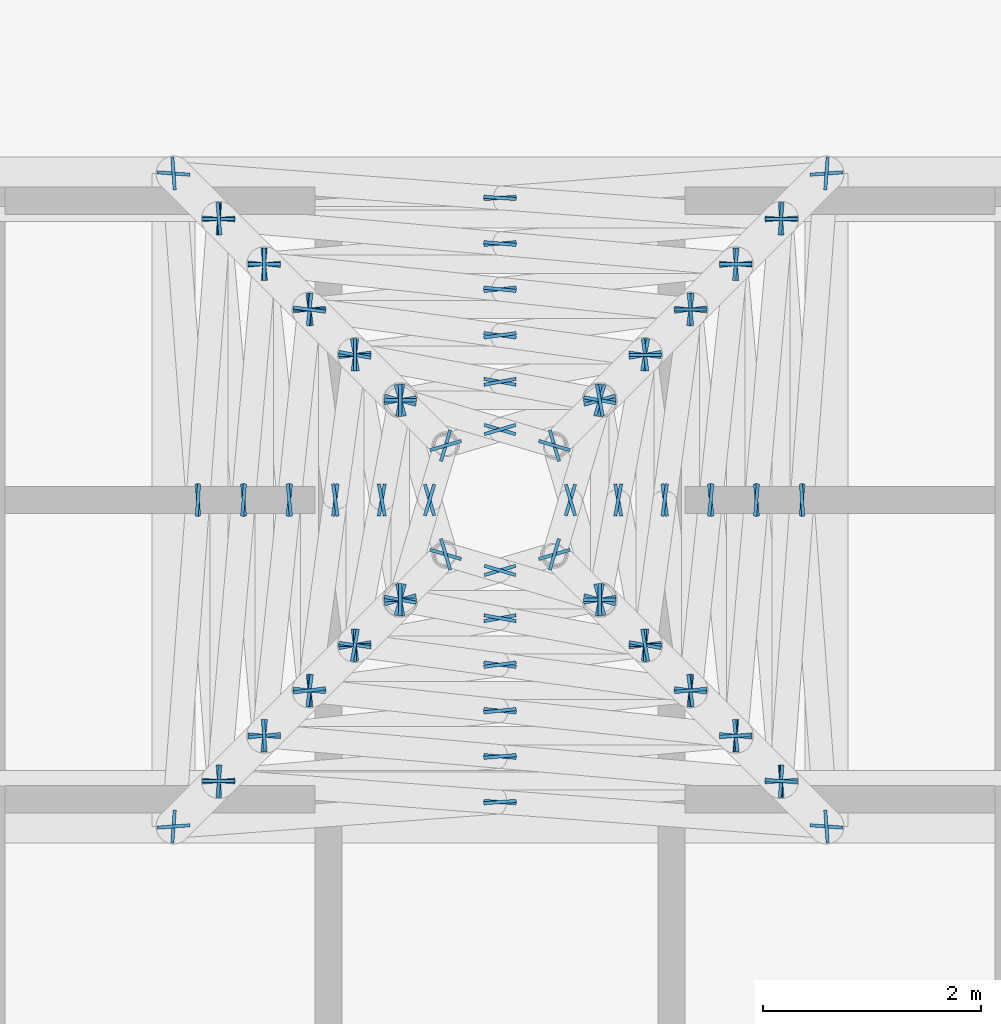
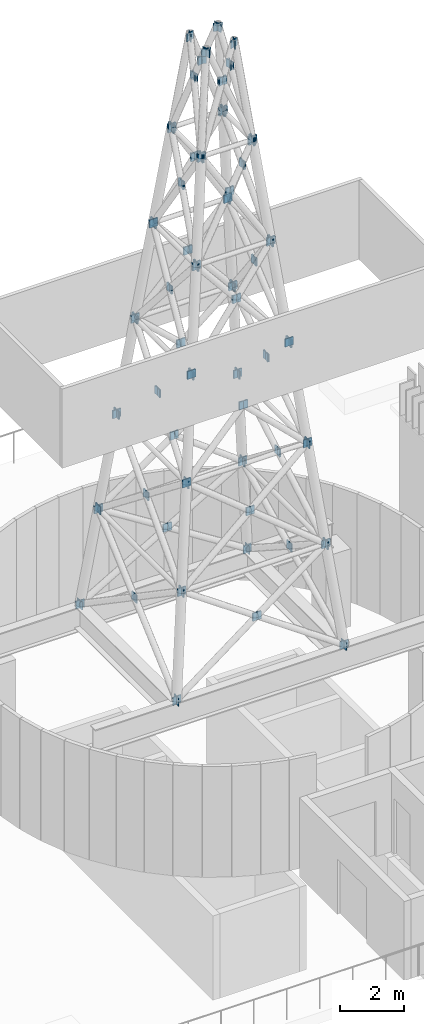
# One storey, part 5 of 8: 184 discrete accessories.
"""IFC4 building model written with IfcOpenShell, lengths in metres."""

from ifc_helpers import new_model, si_unit, direction, frame, origin, origin_2d, place, context, subcontext, project, spatial, rectangle, extrude, material, layer, layer_set, type_object, element, save


model = new_model("IFC4")

# Units and contexts
model_context = context("Model", 3, precision=1e-05, world=origin(), true_north=direction((0.0, 1.0)))
body_context = subcontext(model_context, "Body", "Model", "MODEL_VIEW")
ifc_project = project(units=[si_unit("LENGTHUNIT", "METRE"), si_unit("AREAUNIT", "SQUARE_METRE"), si_unit("VOLUMEUNIT", "CUBIC_METRE"), si_unit("PLANEANGLEUNIT", "RADIAN"), si_unit("MASSUNIT", "GRAM", prefix="KILO")], contexts=[model_context])

# Site, building, storey
site_placement = place(None, origin())
site = spatial("IfcSite", under=ifc_project, at=site_placement, CompositionType="ELEMENT")
building_placement = place(site_placement, origin())
building = spatial("IfcBuilding", under=site, at=building_placement, Name="Mahtab Terrace Research Tower", CompositionType="ELEMENT")
storey_placement = place(building_placement, frame((0.0, 0.0, 289.699951171875)))
storey = spatial("IfcBuildingStorey", under=building, at=storey_placement, Name="L70", CompositionType="ELEMENT", Elevation=289.699951171875)

# Discrete accessories
ifc_material = material(Name="Steel ASTM A992 Gr 50", Category="steel")
ifc_layer = layer(ifc_material, 0.030029296875)
ifc_layer_set = layer_set([ifc_layer], Name="Gusset plate 300x300x30")
discrete_accessory_type = type_object("IfcDiscreteAccessoryType", Name="Gusset plate 300x300x30", PredefinedType="USERDEFINED", material=ifc_layer_set)
for number, where, z_axis, x_axis, name in (
    (1, (-2.583251953125, 3.166748046875, 7.466796875), (0.0, 0.0, 1.0), (1.0, 0.0, 0.0), "Gusset plate"),
    (2, (-2.583251953125, 8.333251953125, 7.466796875), (0.0, 0.0, 1.0), (1.0, 0.0, 0.0), "Gusset plate"),
    (3, (-2.166748046875, 3.583251953125, 11.18310546875), (0.0, 0.0, 1.0), (1.0, 0.0, 0.0), "Gusset plate"),
    (4, (-2.166748046875, 7.916748046875, 11.18310546875), (0.0, 0.0, 1.0), (1.0, 0.0, 0.0), "Gusset plate"),
    (5, (-1.75, 4.0, 14.89990234375), (0.0, 0.0, 1.0), (1.0, 0.0, 0.0), "Gusset plate"),
    (6, (-1.75, 7.5, 14.89990234375), (0.0, 0.0, 1.0), (1.0, 0.0, 0.0), "Gusset plate"),
    (7, (-1.333251953125, 4.416748046875, 18.61669921875), (0.0, 0.0, 1.0), (1.0, 0.0, 0.0), "Gusset plate"),
    (8, (-1.333251953125, 7.083251953125, 18.61669921875), (0.0, 0.0, 1.0), (1.0, 0.0, 0.0), "Gusset plate"),
    (9, (-0.916748046875, 4.833251953125, 22.33349609375), (0.0, 0.0, 1.0), (1.0, 0.0, 0.0), "Gusset plate"),
    (10, (-0.916748046875, 6.666748046875, 22.33349609375), (0.0, 0.0, 1.0), (1.0, 0.0, 0.0), "Gusset plate"),
    (11, (0.916748046875, 4.833251953125, 22.33349609375), (0.0, 0.0, 1.0), (1.0, 0.0, 0.0), "Gusset plate"),
    (12, (0.916748046875, 6.666748046875, 22.33349609375), (0.0, 0.0, 1.0), (1.0, 0.0, 0.0), "Gusset plate"),
    (13, (1.333251953125, 4.416748046875, 18.61669921875), (0.0, 0.0, 1.0), (1.0, 0.0, 0.0), "Gusset plate"),
    (14, (1.333251953125, 7.083251953125, 18.61669921875), (0.0, 0.0, 1.0), (1.0, 0.0, 0.0), "Gusset plate"),
    (15, (1.75, 4.0, 14.89990234375), (0.0, 0.0, 1.0), (1.0, 0.0, 0.0), "Gusset plate"),
    (16, (1.75, 7.5, 14.89990234375), (0.0, 0.0, 1.0), (1.0, 0.0, 0.0), "Gusset plate"),
    (17, (2.166748046875, 3.583251953125, 11.18310546875), (0.0, 0.0, 1.0), (1.0, 0.0, 0.0), "Gusset plate"),
    (18, (2.166748046875, 7.916748046875, 11.18310546875), (0.0, 0.0, 1.0), (1.0, 0.0, 0.0), "Gusset plate"),
    (19, (2.583251953125, 3.166748046875, 7.466796875), (0.0, 0.0, 1.0), (1.0, 0.0, 0.0), "Gusset plate"),
    (20, (2.583251953125, 8.333251953125, 7.466796875), (0.0, 0.0, 1.0), (1.0, 0.0, 0.0), "Gusset plate"),
    (21, (-3.0, 2.75, 3.75), (0.0, 0.0, 1.0), (0.997226854019, 0.074421781919, 0.0), "Gusset plate"),
    (22, (-2.583251953125, 8.333251953125, 7.466796875), (0.0, 0.0, 1.0), (0.997226854019, 0.074421781919, 0.0), "Gusset plate"),
    (23, (0.0, 2.973876953125, 5.7470703125), (0.0, 0.0, 1.0), (0.997226854019, 0.074421781919, 0.0), "Gusset plate"),
    (24, (0.0, 8.526123046875, 5.7470703125), (0.0, 0.0, 1.0), (0.997226854019, 0.074421781919, 0.0), "Gusset plate"),
    (25, (2.583251953125, 3.166748046875, 7.466796875), (0.0, 0.0, 1.0), (0.997226854019, 0.074421781919, 0.0), "Gusset plate"),
    (26, (3.0, 8.75, 3.75), (0.0, 0.0, 1.0), (0.997226854019, 0.074421781919, 0.0), "Gusset plate"),
    (27, (-2.583251953125, 3.166748046875, 7.466796875), (0.0, 0.0, 1.0), (0.996174897439, 0.087381769909, 0.0), "Gusset plate"),
    (28, (-2.166748046875, 7.916748046875, 11.18310546875), (0.0, 0.0, 1.0), (0.996174897439, 0.087381769909, 0.0), "Gusset plate"),
    (29, (0.0, 3.393310546875, 9.48779296875), (0.0, 0.0, 1.0), (0.996174897439, 0.087381769909, 0.0), "Gusset plate"),
    (30, (0.0, 8.106689453125, 9.48779296875), (0.0, 0.0, 1.0), (0.996174897439, 0.087381769909, 0.0), "Gusset plate"),
    (31, (2.166748046875, 3.583251953125, 11.18310546875), (0.0, 0.0, 1.0), (0.996174897439, 0.087381769909, 0.0), "Gusset plate"),
    (32, (2.583251953125, 8.333251953125, 7.466796875), (0.0, 0.0, 1.0), (0.996174897439, 0.087381769909, 0.0), "Gusset plate"),
    (33, (-2.166748046875, 3.583251953125, 11.18310546875), (0.0, 0.0, 1.0), (0.994389755819, 0.105778133479, 0.0), "Gusset plate"),
    (34, (-1.75, 7.5, 14.89990234375), (0.0, 0.0, 1.0), (0.994389755819, 0.105778133479, 0.0), "Gusset plate"),
    (35, (0.0, 3.813720703125, 13.2392578125), (0.0, 0.0, 1.0), (0.994389755819, 0.105778133479, 0.0), "Gusset plate"),
    (36, (0.0, 7.686279296875, 13.2392578125), (0.0, 0.0, 1.0), (0.994389755819, 0.105778133479, 0.0), "Gusset plate"),
    (37, (1.75, 4.0, 14.89990234375), (0.0, 0.0, 1.0), (0.994389755819, 0.105778133479, 0.0), "Gusset plate"),
    (38, (2.166748046875, 7.916748046875, 11.18310546875), (0.0, 0.0, 1.0), (0.994389755819, 0.105778133479, 0.0), "Gusset plate"),
    (39, (-1.75, 4.0, 14.89990234375), (0.0, 0.0, 1.0), (0.9909925513, 0.133917001413, 0.0), "Gusset plate"),
    (40, (-1.333251953125, 7.083251953125, 18.61669921875), (0.0, 0.0, 1.0), (0.9909925513, 0.133917001413, 0.0), "Gusset plate"),
    (41, (0.0, 4.236572265625, 17.009765625), (0.0, 0.0, 1.0), (0.9909925513, 0.133917001413, 0.0), "Gusset plate"),
    (42, (0.0, 7.263427734375, 17.009765625), (0.0, 0.0, 1.0), (0.9909925513, 0.133917001413, 0.0), "Gusset plate"),
    (43, (1.333251953125, 4.416748046875, 18.61669921875), (0.0, 0.0, 1.0), (0.9909925513, 0.133917001413, 0.0), "Gusset plate"),
    (44, (1.75, 7.5, 14.89990234375), (0.0, 0.0, 1.0), (0.9909925513, 0.133917001413, 0.0), "Gusset plate"),
    (45, (-1.333251953125, 4.416748046875, 18.61669921875), (0.0, 0.0, 1.0), (0.983283520923, 0.182081073925, 0.0), "Gusset plate"),
    (46, (-0.916748046875, 6.666748046875, 22.33349609375), (0.0, 0.0, 1.0), (0.983283520923, 0.182081073925, 0.0), "Gusset plate"),
    (47, (0.0, 4.66357421875, 20.8193359375), (0.0, 0.0, 1.0), (0.983283520923, 0.182081073925, 0.0), "Gusset plate"),
    (48, (0.0, 6.83642578125, 20.8193359375), (0.0, 0.0, 1.0), (0.983283520923, 0.182081073925, 0.0), "Gusset plate"),
    (49, (0.916748046875, 4.833251953125, 22.33349609375), (0.0, 0.0, 1.0), (0.983283520923, 0.182081073925, 0.0), "Gusset plate"),
    (50, (1.333251953125, 7.083251953125, 18.61669921875), (0.0, 0.0, 1.0), (0.983283520923, 0.182081073925, 0.0), "Gusset plate"),
    (51, (-0.916748046875, 4.833251953125, 22.33349609375), (0.0, 0.0, 1.0), (0.959363237809, 0.282174020669, 0.0), "Gusset plate"),
    (52, (-0.5, 6.25, 25.89990234375), (0.0, 0.0, 1.0), (0.959363237809, 0.282174020669, 0.0), "Gusset plate"),
    (53, (0.0, 5.102783203125, 24.73828125), (0.0, 0.0, 1.0), (0.959363237809, 0.282174020669, 0.0), "Gusset plate"),
    (54, (0.0, 6.397216796875, 24.73828125), (0.0, 0.0, 1.0), (0.959363237809, 0.282174020669, 0.0), "Gusset plate"),
    (55, (0.5, 5.25, 25.89990234375), (0.0, 0.0, 1.0), (0.959363237809, 0.282174020669, 0.0), "Gusset plate"),
    (56, (0.916748046875, 6.666748046875, 22.33349609375), (0.0, 0.0, 1.0), (0.959363237809, 0.282174020669, 0.0), "Gusset plate"),
    (57, (-0.916748046875, 4.833251953125, 22.33349609375), (0.0, 0.0, 1.0), (0.282123788141, 0.959378011091, 0.0), "Gusset plate"),
    (58, (-0.647216796875, 5.75, 24.73828125), (0.0, 0.0, 1.0), (0.282123788141, 0.959378011091, 0.0), "Gusset plate"),
    (59, (-0.5, 6.25, 25.89990234375), (0.0, 0.0, 1.0), (0.28224099617, 0.959343536008, 0.0), "Gusset plate"),
    (60, (0.5, 5.25, 25.89990234375), (0.0, 0.0, 1.0), (0.28224099617, 0.959343536008, 0.0), "Gusset plate"),
    (61, (0.647216796875, 5.75, 24.73828125), (0.0, 0.0, 1.0), (0.282123788141, 0.959378011091, 0.0), "Gusset plate"),
    (62, (0.916748046875, 6.666748046875, 22.33349609375), (0.0, 0.0, 1.0), (0.282123788141, 0.959378011091, 0.0), "Gusset plate"),
    (63, (-1.333251953125, 4.416748046875, 18.61669921875), (0.0, 0.0, 1.0), (0.182098235432, 0.983280342859, 0.0), "Gusset plate"),
    (64, (-1.08642578125, 5.75, 20.8193359375), (0.0, 0.0, 1.0), (0.182098235432, 0.983280342859, 0.0), "Gusset plate"),
    (65, (-0.916748046875, 6.666748046875, 22.33349609375), (0.0, 0.0, 1.0), (0.182063912362, 0.983286698687, 0.0), "Gusset plate"),
    (66, (0.916748046875, 4.833251953125, 22.33349609375), (0.0, 0.0, 1.0), (0.182063912362, 0.983286698687, 0.0), "Gusset plate"),
    (67, (1.08642578125, 5.75, 20.8193359375), (0.0, 0.0, 1.0), (0.182098235432, 0.983280342859, 0.0), "Gusset plate"),
    (68, (1.333251953125, 7.083251953125, 18.61669921875), (0.0, 0.0, 1.0), (0.182098235432, 0.983280342859, 0.0), "Gusset plate"),
    (69, (-1.75, 4.0, 14.89990234375), (0.0, 0.0, 1.0), (0.133917001413, 0.9909925513, 0.0), "Gusset plate"),
    (70, (-1.513427734375, 5.75, 17.009765625), (0.0, 0.0, 1.0), (0.133917001413, 0.9909925513, 0.0), "Gusset plate"),
    (71, (-1.333251953125, 7.083251953125, 18.61669921875), (0.0, 0.0, 1.0), (0.13389970531, 0.990994888442, 0.0), "Gusset plate"),
    (72, (1.333251953125, 4.416748046875, 18.61669921875), (0.0, 0.0, 1.0), (0.13389970531, 0.990994888442, 0.0), "Gusset plate"),
    (73, (1.513427734375, 5.75, 17.009765625), (0.0, 0.0, 1.0), (0.133917001413, 0.9909925513, 0.0), "Gusset plate"),
    (74, (1.75, 7.5, 14.89990234375), (0.0, 0.0, 1.0), (0.133917001413, 0.9909925513, 0.0), "Gusset plate"),
    (75, (-2.166748046875, 3.583251953125, 11.18310546875), (0.0, 0.0, 1.0), (0.105778133479, 0.994389755819, 0.0), "Gusset plate"),
    (76, (-1.936279296875, 5.75, 13.2392578125), (0.0, 0.0, 1.0), (0.105778133479, 0.994389755819, 0.0), "Gusset plate"),
    (77, (-1.75, 7.5, 14.89990234375), (0.0, 0.0, 1.0), (0.105795488838, 0.994387909491, 0.0), "Gusset plate"),
    (78, (1.75, 4.0, 14.89990234375), (0.0, 0.0, 1.0), (0.105795488838, 0.994387909491, 0.0), "Gusset plate"),
    (79, (1.936279296875, 5.75, 13.2392578125), (0.0, 0.0, 1.0), (0.105778133479, 0.994389755819, 0.0), "Gusset plate"),
    (80, (2.166748046875, 7.916748046875, 11.18310546875), (0.0, 0.0, 1.0), (0.105778133479, 0.994389755819, 0.0), "Gusset plate"),
    (81, (-2.583251953125, 3.166748046875, 7.466796875), (0.0, 0.0, 1.0), (0.087399156428, 0.996173372188, 0.0), "Gusset plate"),
    (82, (-2.356689453125, 5.75, 9.48779296875), (0.0, 0.0, 1.0), (0.087399156428, 0.996173372188, 0.0), "Gusset plate"),
    (83, (-2.166748046875, 7.916748046875, 11.18310546875), (0.0, 0.0, 1.0), (0.087364383364, 0.996176422387, 0.0), "Gusset plate"),
    (84, (2.166748046875, 3.583251953125, 11.18310546875), (0.0, 0.0, 1.0), (0.087364383364, 0.996176422387, 0.0), "Gusset plate"),
    (85, (2.356689453125, 5.75, 9.48779296875), (0.0, 0.0, 1.0), (0.087399156428, 0.996173372188, 0.0), "Gusset plate"),
    (86, (2.583251953125, 8.333251953125, 7.466796875), (0.0, 0.0, 1.0), (0.087399156428, 0.996173372188, 0.0), "Gusset plate"),
    (87, (-3.0, 2.75, 3.75), (0.0, 0.0, 1.0), (0.074421781919, 0.997226854019, 0.0), "Gusset plate"),
    (88, (-2.776123046875, 5.75, 5.7470703125), (0.0, 0.0, 1.0), (0.074421781919, 0.997226854019, 0.0), "Gusset plate"),
    (89, (-2.583251953125, 8.333251953125, 7.466796875), (0.0, 0.0, 1.0), (0.074404377015, 0.997228152772, 0.0), "Gusset plate"),
    (90, (2.583251953125, 3.166748046875, 7.466796875), (0.0, 0.0, 1.0), (0.074404377015, 0.997228152772, 0.0), "Gusset plate"),
    (91, (2.776123046875, 5.75, 5.7470703125), (0.0, 0.0, 1.0), (0.074421781919, 0.997226854019, 0.0), "Gusset plate"),
    (92, (3.0, 8.75, 3.75), (0.0, 0.0, 1.0), (0.074421781919, 0.997226854019, 0.0), "Gusset plate"),
    (93, (-2.583251953125, 3.166748046875, 7.466796875), (0.0, 0.0, 1.0), (0.0, 1.0, 0.0), "Gusset plate"),
    (94, (-2.583251953125, 8.333251953125, 7.466796875), (0.0, 0.0, 1.0), (0.0, 1.0, 0.0), "Gusset plate"),
    (95, (-2.166748046875, 3.583251953125, 11.18310546875), (0.0, 0.0, 1.0), (0.0, 1.0, 0.0), "Gusset plate"),
    (96, (-2.166748046875, 7.916748046875, 11.18310546875), (0.0, 0.0, 1.0), (0.0, 1.0, 0.0), "Gusset plate"),
    (97, (-1.75, 4.0, 14.89990234375), (0.0, 0.0, 1.0), (0.0, 1.0, 0.0), "Gusset plate"),
    (98, (-1.75, 7.5, 14.89990234375), (0.0, 0.0, 1.0), (0.0, 1.0, 0.0), "Gusset plate"),
    (99, (-1.333251953125, 4.416748046875, 18.61669921875), (0.0, 0.0, 1.0), (0.0, 1.0, 0.0), "Gusset plate"),
    (100, (-1.333251953125, 7.083251953125, 18.61669921875), (0.0, 0.0, 1.0), (0.0, 1.0, 0.0), "Gusset plate"),
    (101, (-0.916748046875, 4.833251953125, 22.33349609375), (0.0, 0.0, 1.0), (0.0, 1.0, 0.0), "Gusset plate"),
    (102, (-0.916748046875, 6.666748046875, 22.33349609375), (0.0, 0.0, 1.0), (0.0, 1.0, 0.0), "Gusset plate"),
    (103, (0.916748046875, 4.833251953125, 22.33349609375), (0.0, 0.0, 1.0), (0.0, 1.0, 0.0), "Gusset plate"),
    (104, (0.916748046875, 6.666748046875, 22.33349609375), (0.0, 0.0, 1.0), (0.0, 1.0, 0.0), "Gusset plate"),
    (105, (1.333251953125, 4.416748046875, 18.61669921875), (0.0, 0.0, 1.0), (0.0, 1.0, 0.0), "Gusset plate"),
    (106, (1.333251953125, 7.083251953125, 18.61669921875), (0.0, 0.0, 1.0), (0.0, 1.0, 0.0), "Gusset plate"),
    (107, (1.75, 4.0, 14.89990234375), (0.0, 0.0, 1.0), (0.0, 1.0, 0.0), "Gusset plate"),
    (108, (1.75, 7.5, 14.89990234375), (0.0, 0.0, 1.0), (0.0, 1.0, 0.0), "Gusset plate"),
    (109, (2.166748046875, 3.583251953125, 11.18310546875), (0.0, 0.0, 1.0), (0.0, 1.0, 0.0), "Gusset plate"),
    (110, (2.166748046875, 7.916748046875, 11.18310546875), (0.0, 0.0, 1.0), (0.0, 1.0, 0.0), "Gusset plate"),
    (111, (2.583251953125, 3.166748046875, 7.466796875), (0.0, 0.0, 1.0), (0.0, 1.0, 0.0), "Gusset plate"),
    (112, (2.583251953125, 8.333251953125, 7.466796875), (0.0, 0.0, 1.0), (0.0, 1.0, 0.0), "Gusset plate"),
    (113, (-3.0, 8.75, 3.75), (0.0, 0.0, 1.0), (-0.074421781919, 0.997226854019, 0.0), "Gusset plate"),
    (114, (-2.776123046875, 5.75, 5.7470703125), (0.0, 0.0, 1.0), (-0.074421781919, 0.997226854019, 0.0), "Gusset plate"),
    (115, (-2.583251953125, 3.166748046875, 7.466796875), (0.0, 0.0, 1.0), (-0.074421781919, 0.997226854019, 0.0), "Gusset plate"),
    (116, (2.583251953125, 8.333251953125, 7.466796875), (0.0, 0.0, 1.0), (-0.074421781919, 0.997226854019, 0.0), "Gusset plate"),
    (117, (2.776123046875, 5.75, 5.7470703125), (0.0, 0.0, 1.0), (-0.074421781919, 0.997226854019, 0.0), "Gusset plate"),
    (118, (3.0, 2.75, 3.75), (0.0, 0.0, 1.0), (-0.074421781919, 0.997226854019, 0.0), "Gusset plate"),
    (119, (-2.583251953125, 8.333251953125, 7.466796875), (0.0, 0.0, 1.0), (-0.087381769909, 0.996174897439, 0.0), "Gusset plate"),
    (120, (-2.356689453125, 5.75, 9.48779296875), (0.0, 0.0, 1.0), (-0.087381769909, 0.996174897439, 0.0), "Gusset plate"),
    (121, (-2.166748046875, 3.583251953125, 11.18310546875), (0.0, 0.0, 1.0), (-0.087381769909, 0.996174897439, 0.0), "Gusset plate"),
    (122, (2.166748046875, 7.916748046875, 11.18310546875), (0.0, 0.0, 1.0), (-0.087381769909, 0.996174897439, 0.0), "Gusset plate"),
    (123, (2.356689453125, 5.75, 9.48779296875), (0.0, 0.0, 1.0), (-0.087381769909, 0.996174897439, 0.0), "Gusset plate"),
    (124, (2.583251953125, 3.166748046875, 7.466796875), (0.0, 0.0, 1.0), (-0.087381769909, 0.996174897439, 0.0), "Gusset plate"),
    (125, (-2.166748046875, 7.916748046875, 11.18310546875), (0.0, 0.0, 1.0), (-0.105778133479, 0.994389755819, 0.0), "Gusset plate"),
    (126, (-1.936279296875, 5.75, 13.2392578125), (0.0, 0.0, 1.0), (-0.105778133479, 0.994389755819, 0.0), "Gusset plate"),
    (127, (-1.75, 4.0, 14.89990234375), (0.0, 0.0, 1.0), (-0.105778133479, 0.994389755819, 0.0), "Gusset plate"),
    (128, (1.75, 7.5, 14.89990234375), (0.0, 0.0, 1.0), (-0.105778133479, 0.994389755819, 0.0), "Gusset plate"),
    (129, (1.936279296875, 5.75, 13.2392578125), (0.0, 0.0, 1.0), (-0.105778133479, 0.994389755819, 0.0), "Gusset plate"),
    (130, (2.166748046875, 3.583251953125, 11.18310546875), (0.0, 0.0, 1.0), (-0.105778133479, 0.994389755819, 0.0), "Gusset plate"),
    (131, (-1.75, 7.5, 14.89990234375), (0.0, 0.0, 1.0), (-0.133917001413, 0.9909925513, 0.0), "Gusset plate"),
    (132, (-1.513427734375, 5.75, 17.009765625), (0.0, 0.0, 1.0), (-0.133917001413, 0.9909925513, 0.0), "Gusset plate"),
    (133, (-1.333251953125, 4.416748046875, 18.61669921875), (0.0, 0.0, 1.0), (-0.133917001413, 0.9909925513, 0.0), "Gusset plate"),
    (134, (1.333251953125, 7.083251953125, 18.61669921875), (0.0, 0.0, 1.0), (-0.133917001413, 0.9909925513, 0.0), "Gusset plate"),
    (135, (1.513427734375, 5.75, 17.009765625), (0.0, 0.0, 1.0), (-0.133917001413, 0.9909925513, 0.0), "Gusset plate"),
    (136, (1.75, 4.0, 14.89990234375), (0.0, 0.0, 1.0), (-0.133917001413, 0.9909925513, 0.0), "Gusset plate"),
    (137, (-1.333251953125, 7.083251953125, 18.61669921875), (0.0, 0.0, 1.0), (-0.182081073925, 0.983283520923, 0.0), "Gusset plate"),
    (138, (-1.08642578125, 5.75, 20.8193359375), (0.0, 0.0, 1.0), (-0.182081073925, 0.983283520923, 0.0), "Gusset plate"),
    (139, (-0.916748046875, 4.833251953125, 22.33349609375), (0.0, 0.0, 1.0), (-0.182081073925, 0.983283520923, 0.0), "Gusset plate"),
    (140, (0.916748046875, 6.666748046875, 22.33349609375), (0.0, 0.0, 1.0), (-0.182081073925, 0.983283520923, 0.0), "Gusset plate"),
    (141, (1.08642578125, 5.75, 20.8193359375), (0.0, 0.0, 1.0), (-0.182081073925, 0.983283520923, 0.0), "Gusset plate"),
    (142, (1.333251953125, 4.416748046875, 18.61669921875), (0.0, 0.0, 1.0), (-0.182081073925, 0.983283520923, 0.0), "Gusset plate"),
    (143, (-0.916748046875, 6.666748046875, 22.33349609375), (0.0, 0.0, 1.0), (-0.282174020669, 0.959363237809, 0.0), "Gusset plate"),
    (144, (-0.647216796875, 5.75, 24.73828125), (0.0, 0.0, 1.0), (-0.282174020669, 0.959363237809, 0.0), "Gusset plate"),
    (145, (-0.5, 5.25, 25.89990234375), (0.0, 0.0, 1.0), (-0.282174020669, 0.959363237809, 0.0), "Gusset plate"),
    (146, (0.5, 6.25, 25.89990234375), (0.0, 0.0, 1.0), (-0.282174020669, 0.959363237809, 0.0), "Gusset plate"),
    (147, (0.647216796875, 5.75, 24.73828125), (0.0, 0.0, 1.0), (-0.282174020669, 0.959363237809, 0.0), "Gusset plate"),
    (148, (0.916748046875, 4.833251953125, 22.33349609375), (0.0, 0.0, 1.0), (-0.282174020669, 0.959363237809, 0.0), "Gusset plate"),
    (149, (-0.916748046875, 6.666748046875, 22.33349609375), (0.0, 0.0, 1.0), (-0.959378011091, 0.282123788141, 0.0), "Gusset plate"),
    (150, (-0.5, 5.25, 25.89990234375), (0.0, 0.0, 1.0), (-0.959343536008, 0.28224099617, 0.0), "Gusset plate"),
    (151, (0.0, 5.102783203125, 24.73828125), (0.0, 0.0, 1.0), (-0.959378011091, 0.282123788141, 0.0), "Gusset plate"),
    (152, (0.0, 6.397216796875, 24.73828125), (0.0, 0.0, 1.0), (-0.959378011091, 0.282123788141, 0.0), "Gusset plate"),
    (153, (0.5, 6.25, 25.89990234375), (0.0, 0.0, 1.0), (-0.959343536008, 0.28224099617, 0.0), "Gusset plate"),
    (154, (0.916748046875, 4.833251953125, 22.33349609375), (0.0, 0.0, 1.0), (-0.959378011091, 0.282123788141, 0.0), "Gusset plate"),
    (155, (-1.333251953125, 7.083251953125, 18.61669921875), (0.0, 0.0, 1.0), (-0.983280342859, 0.182098235432, 0.0), "Gusset plate"),
    (156, (-0.916748046875, 4.833251953125, 22.33349609375), (0.0, 0.0, 1.0), (-0.983286698687, 0.182063912362, 0.0), "Gusset plate"),
    (157, (0.0, 4.66357421875, 20.8193359375), (0.0, 0.0, 1.0), (-0.983280342859, 0.182098235432, 0.0), "Gusset plate"),
    (158, (0.0, 6.83642578125, 20.8193359375), (0.0, 0.0, 1.0), (-0.983280342859, 0.182098235432, 0.0), "Gusset plate"),
    (159, (0.916748046875, 6.666748046875, 22.33349609375), (0.0, 0.0, 1.0), (-0.983286698687, 0.182063912362, 0.0), "Gusset plate"),
    (160, (1.333251953125, 4.416748046875, 18.61669921875), (0.0, 0.0, 1.0), (-0.983280342859, 0.182098235432, 0.0), "Gusset plate"),
    (161, (-1.75, 7.5, 14.89990234375), (0.0, 0.0, 1.0), (-0.9909925513, 0.133917001413, 0.0), "Gusset plate"),
    (162, (-1.333251953125, 4.416748046875, 18.61669921875), (0.0, 0.0, 1.0), (-0.990994888442, 0.13389970531, 0.0), "Gusset plate"),
    (163, (0.0, 4.236572265625, 17.009765625), (0.0, 0.0, 1.0), (-0.9909925513, 0.133917001413, 0.0), "Gusset plate"),
    (164, (0.0, 7.263427734375, 17.009765625), (0.0, 0.0, 1.0), (-0.9909925513, 0.133917001413, 0.0), "Gusset plate"),
    (165, (1.333251953125, 7.083251953125, 18.61669921875), (0.0, 0.0, 1.0), (-0.990994888442, 0.13389970531, 0.0), "Gusset plate"),
    (166, (1.75, 4.0, 14.89990234375), (0.0, 0.0, 1.0), (-0.9909925513, 0.133917001413, 0.0), "Gusset plate"),
    (167, (-2.166748046875, 7.916748046875, 11.18310546875), (0.0, 0.0, 1.0), (-0.994389755819, 0.105778133479, 0.0), "Gusset plate"),
    (168, (-1.75, 4.0, 14.89990234375), (0.0, 0.0, 1.0), (-0.994387909491, 0.105795488838, 0.0), "Gusset plate"),
    (169, (0.0, 3.813720703125, 13.2392578125), (0.0, 0.0, 1.0), (-0.994389755819, 0.105778133479, 0.0), "Gusset plate"),
    (170, (0.0, 7.686279296875, 13.2392578125), (0.0, 0.0, 1.0), (-0.994389755819, 0.105778133479, 0.0), "Gusset plate"),
    (171, (1.75, 7.5, 14.89990234375), (0.0, 0.0, 1.0), (-0.994387909491, 0.105795488838, 0.0), "Gusset plate"),
    (172, (2.166748046875, 3.583251953125, 11.18310546875), (0.0, 0.0, 1.0), (-0.994389755819, 0.105778133479, 0.0), "Gusset plate"),
    (173, (-2.583251953125, 8.333251953125, 7.466796875), (0.0, 0.0, 1.0), (-0.996173372188, 0.087399156428, 0.0), "Gusset plate"),
    (174, (-2.166748046875, 3.583251953125, 11.18310546875), (0.0, 0.0, 1.0), (-0.996176422387, 0.087364383364, 0.0), "Gusset plate"),
    (175, (0.0, 3.393310546875, 9.48779296875), (0.0, 0.0, 1.0), (-0.996173372188, 0.087399156428, 0.0), "Gusset plate"),
    (176, (0.0, 8.106689453125, 9.48779296875), (0.0, 0.0, 1.0), (-0.996173372188, 0.087399156428, 0.0), "Gusset plate"),
    (177, (2.166748046875, 7.916748046875, 11.18310546875), (0.0, 0.0, 1.0), (-0.996176422387, 0.087364383364, 0.0), "Gusset plate"),
    (178, (2.583251953125, 3.166748046875, 7.466796875), (0.0, 0.0, 1.0), (-0.996173372188, 0.087399156428, 0.0), "Gusset plate"),
    (179, (-3.0, 8.75, 3.75), (0.0, 0.0, 1.0), (-0.997226854019, 0.074421781919, 0.0), "Gusset plate"),
    (180, (-2.583251953125, 3.166748046875, 7.466796875), (0.0, 0.0, 1.0), (-0.997228152772, 0.074404377015, 0.0), "Gusset plate"),
    (181, (0.0, 2.973876953125, 5.7470703125), (0.0, 0.0, 1.0), (-0.997226854019, 0.074421781919, 0.0), "Gusset plate"),
    (182, (0.0, 8.526123046875, 5.7470703125), (0.0, 0.0, 1.0), (-0.997226854019, 0.074421781919, 0.0), "Gusset plate"),
    (183, (2.583251953125, 8.333251953125, 7.466796875), (0.0, 0.0, 1.0), (-0.997228152772, 0.074404377015, 0.0), "Gusset plate"),
    (184, (3.0, 2.75, 3.75), (0.0, 0.0, 1.0), (-0.997226854019, 0.074421781919, 0.0), "Gusset plate"),
):
    element("IfcDiscreteAccessory", number, at=place(storey_placement, frame(where, z_axis=z_axis, x_axis=x_axis)), inside=storey, type_object=discrete_accessory_type, Name=name, ObjectType="GUSSET PLATE", PredefinedType="USERDEFINED", context=body_context, shape_type="SweptSolid", body=[
        extrude(rectangle(XDim=0.300048828125, YDim=0.030029296875, at=origin_2d()), origin(), (0.0, 0.0, 1.0), 0.300048828125),
    ])

save(model, "model.ifc")
